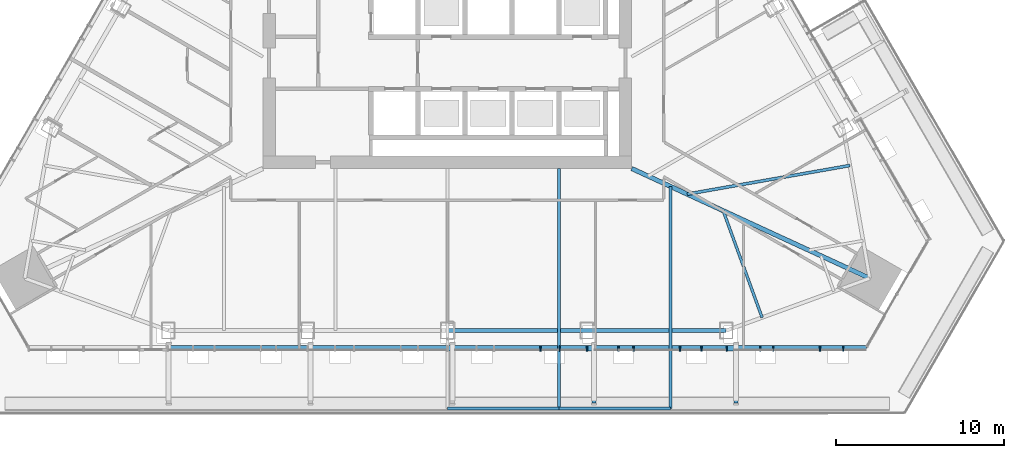
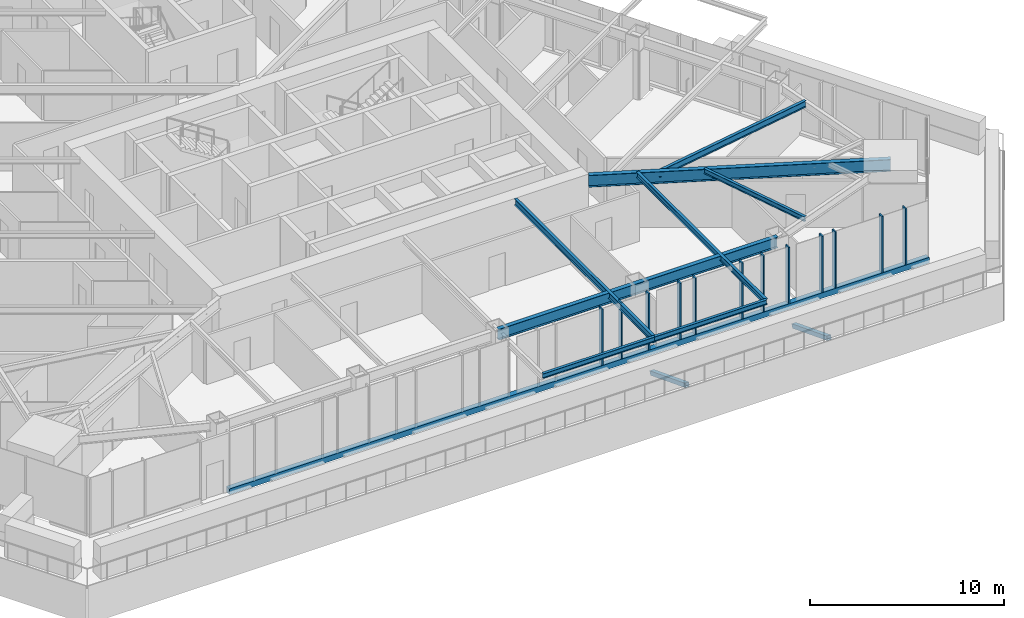
# One storey, part 4 of 21: 15 members, 8 beams, 1 element without a shape of its own.
"""IFC4 building model written with IfcOpenShell, lengths in metres."""

from ifc_helpers import new_model, si_unit, direction, frame, origin, origin_2d, place, context, subcontext, project, spatial, rectangle, hollow_rectangle, i_section, extrude, material, layer, layer_set, material_profile, profile_set, type_object, element, aggregate, save


model = new_model("IFC4")

# Units and contexts
model_context = context("Model", 3, precision=1e-05, world=origin(), true_north=direction((0.0, 1.0)))
body_context = subcontext(model_context, "Body", "Model", "MODEL_VIEW")
ifc_project = project(units=[si_unit("LENGTHUNIT", "METRE"), si_unit("AREAUNIT", "SQUARE_METRE"), si_unit("VOLUMEUNIT", "CUBIC_METRE"), si_unit("PLANEANGLEUNIT", "RADIAN"), si_unit("MASSUNIT", "GRAM", prefix="KILO")], contexts=[model_context])

# Site, building, storey
site_placement = place(None, origin())
site = spatial("IfcSite", under=ifc_project, at=site_placement, CompositionType="ELEMENT")
building_placement = place(site_placement, origin())
building = spatial("IfcBuilding", under=site, at=building_placement, Name="Firuza Gate Tower and Library", CompositionType="ELEMENT")
storey_placement = place(building_placement, frame((0.0, 0.0, 222.10009765625)))
storey = spatial("IfcBuildingStorey", under=building, at=storey_placement, Name="L52", CompositionType="ELEMENT", Elevation=222.10009765625)

# Curtain wall, members
ifc_material_1 = material(Name="Aluminium 6063-T6", Category="aluminium")
ifc_layer = layer(ifc_material_1, 0.14990234375)
ifc_layer_set = layer_set([ifc_layer], Name="Unitised curtain wall, hotel")
curtain_wall_type = type_object("IfcCurtainWallType", Name="Unitised curtain wall, hotel", PredefinedType="NOTDEFINED", material=ifc_layer_set)
curtain_wall_placement = place(storey_placement, origin())
curtain_wall = element("IfcCurtainWall", 1, at=curtain_wall_placement, inside=storey, type_object=curtain_wall_type, Name="CW2 L52 S face", PredefinedType="NOTDEFINED")
ifc_material_2 = material(Name="Aluminium 6063-T6", Category="aluminium")
ifc_material_profile_1 = material_profile(ifc_material_2, rectangle(XDim=0.320068359375, YDim=0.080078125, at=origin_2d()))
ifc_profile_set_1 = profile_set([ifc_material_profile_1], Name="Aluminium 6063-T6")
member_type_1 = type_object("IfcMemberType", Name="Curtain wall mullion 80x320", PredefinedType="MULLION", material=ifc_profile_set_1)
member_1_placement = place(storey_placement, frame((80.5546875, 56.276611328125, 0.14990234375), z_axis=(0.0, 0.0, 1.0), x_axis=(0.0, 1.0, 0.0)))
member_1 = element("IfcMember", 2, at=member_1_placement, type_object=member_type_1, Name="Mullion", PredefinedType="MULLION", context=body_context, shape_type="SweptSolid", body=[
    extrude(rectangle(XDim=0.320068359375, YDim=0.080078125, at=origin_2d()), origin(), (0.0, 0.0, 1.0), 3.550048828125),
])
member_2_placement = place(storey_placement, frame((83.33203125, 56.276611328125, 0.14990234375), z_axis=(0.0, 0.0, 1.0), x_axis=(0.0, 1.0, 0.0)))
member_2 = element("IfcMember", 3, at=member_2_placement, type_object=member_type_1, Name="Mullion", PredefinedType="MULLION", context=body_context, shape_type="SweptSolid", body=[
    extrude(rectangle(XDim=0.320068359375, YDim=0.080078125, at=origin_2d()), origin(), (0.0, 0.0, 1.0), 3.550048828125),
])
member_3_placement = place(storey_placement, frame((86.109375, 56.276611328125, 0.14990234375), z_axis=(0.0, 0.0, 1.0), x_axis=(0.0, 1.0, 0.0)))
member_3 = element("IfcMember", 4, at=member_3_placement, type_object=member_type_1, Name="Mullion", PredefinedType="MULLION", context=body_context, shape_type="SweptSolid", body=[
    extrude(rectangle(XDim=0.320068359375, YDim=0.080078125, at=origin_2d()), origin(), (0.0, 0.0, 1.0), 3.550048828125),
])
member_4_placement = place(storey_placement, frame((88.88671875, 56.276611328125, 0.14990234375), z_axis=(0.0, 0.0, 1.0), x_axis=(0.0, 1.0, 0.0)))
member_4 = element("IfcMember", 5, at=member_4_placement, type_object=member_type_1, Name="Mullion", PredefinedType="MULLION", context=body_context, shape_type="SweptSolid", body=[
    extrude(rectangle(XDim=0.320068359375, YDim=0.080078125, at=origin_2d()), origin(), (0.0, 0.0, 1.0), 3.550048828125),
])
member_5_placement = place(storey_placement, frame((91.6640625, 56.276611328125, 0.14990234375), z_axis=(0.0, 0.0, 1.0), x_axis=(0.0, 1.0, 0.0)))
member_5 = element("IfcMember", 6, at=member_5_placement, type_object=member_type_1, Name="Mullion", PredefinedType="MULLION", context=body_context, shape_type="SweptSolid", body=[
    extrude(rectangle(XDim=0.320068359375, YDim=0.080078125, at=origin_2d()), origin(), (0.0, 0.0, 1.0), 3.550048828125),
])
member_6_placement = place(storey_placement, frame((94.44140625, 56.276611328125, 0.14990234375), z_axis=(0.0, 0.0, 1.0), x_axis=(0.0, 1.0, 0.0)))
member_6 = element("IfcMember", 7, at=member_6_placement, type_object=member_type_1, Name="Mullion", PredefinedType="MULLION", context=body_context, shape_type="SweptSolid", body=[
    extrude(rectangle(XDim=0.320068359375, YDim=0.080078125, at=origin_2d()), origin(), (0.0, 0.0, 1.0), 3.550048828125),
])
member_7_placement = place(storey_placement, frame((97.21875, 56.276611328125, 0.14990234375), z_axis=(0.0, 0.0, 1.0), x_axis=(0.0, 1.0, 0.0)))
member_7 = element("IfcMember", 8, at=member_7_placement, type_object=member_type_1, Name="Mullion", PredefinedType="MULLION", context=body_context, shape_type="SweptSolid", body=[
    extrude(rectangle(XDim=0.320068359375, YDim=0.080078125, at=origin_2d()), origin(), (0.0, 0.0, 1.0), 3.550048828125),
])
member_8_placement = place(storey_placement, frame((81.70361328125, 56.276611328125, 0.14990234375), z_axis=(0.0, 0.0, 1.0), x_axis=(0.0, 1.0, 0.0)))
member_8 = element("IfcMember", 9, at=member_8_placement, type_object=member_type_1, Name="Mullion", PredefinedType="MULLION", context=body_context, shape_type="SweptSolid", body=[
    extrude(rectangle(XDim=0.320068359375, YDim=0.080078125, at=origin_2d()), origin(), (0.0, 0.0, 1.0), 3.550048828125),
])
member_9_placement = place(storey_placement, frame((85.207763671875, 56.276611328125, 0.14990234375), z_axis=(0.0, 0.0, 1.0), x_axis=(0.0, 1.0, 0.0)))
member_9 = element("IfcMember", 10, at=member_9_placement, type_object=member_type_1, Name="Mullion", PredefinedType="MULLION", context=body_context, shape_type="SweptSolid", body=[
    extrude(rectangle(XDim=0.320068359375, YDim=0.080078125, at=origin_2d()), origin(), (0.0, 0.0, 1.0), 3.550048828125),
])
member_10_placement = place(storey_placement, frame((90.1591796875, 56.276611328125, 0.14990234375), z_axis=(0.0, 0.0, 1.0), x_axis=(0.0, 1.0, 0.0)))
member_10 = element("IfcMember", 11, at=member_10_placement, type_object=member_type_1, Name="Mullion", PredefinedType="MULLION", context=body_context, shape_type="SweptSolid", body=[
    extrude(rectangle(XDim=0.320068359375, YDim=0.080078125, at=origin_2d()), origin(), (0.0, 0.0, 1.0), 3.550048828125),
])
member_11_placement = place(storey_placement, frame((93.663330078125, 56.276611328125, 0.14990234375), z_axis=(0.0, 0.0, 1.0), x_axis=(0.0, 1.0, 0.0)))
member_11 = element("IfcMember", 12, at=member_11_placement, type_object=member_type_1, Name="Mullion", PredefinedType="MULLION", context=body_context, shape_type="SweptSolid", body=[
    extrude(rectangle(XDim=0.320068359375, YDim=0.080078125, at=origin_2d()), origin(), (0.0, 0.0, 1.0), 3.550048828125),
])
member_12_placement = place(storey_placement, frame((98.614990234375, 56.276611328125, 0.14990234375), z_axis=(0.0, 0.0, 1.0), x_axis=(0.0, 1.0, 0.0)))
member_12 = element("IfcMember", 13, at=member_12_placement, type_object=member_type_1, Name="Mullion", PredefinedType="MULLION", context=body_context, shape_type="SweptSolid", body=[
    extrude(rectangle(XDim=0.320068359375, YDim=0.080078125, at=origin_2d()), origin(), (0.0, 0.0, 1.0), 3.550048828125),
])
ifc_material_3 = material(Name="Aluminium 6063-T6", Category="aluminium")
ifc_material_profile_2 = material_profile(ifc_material_3, rectangle(XDim=0.320068359375, YDim=0.35009765625, at=origin_2d()))
ifc_profile_set_2 = profile_set([ifc_material_profile_2], Name="Aluminium 6063-T6")
member_type_2 = type_object("IfcMemberType", Name="Curtain wall transom 350x320", PredefinedType="USERDEFINED", material=ifc_profile_set_2)
member_13_placement = place(storey_placement, frame((58.3359375, 56.276611328125, -0.025146484375), z_axis=(1.0, 0.0, 0.0), x_axis=(0.0, 1.0, 0.0)))
member_13 = element("IfcMember", 14, at=member_13_placement, type_object=member_type_2, Name="Transom", ObjectType="TRANSOM", PredefinedType="USERDEFINED", context=body_context, shape_type="SweptSolid", body=[
    extrude(rectangle(XDim=0.320068359375, YDim=0.35009765625, at=origin_2d()), origin(), (0.0, 0.0, 1.0), 41.66015625),
])
aggregate(curtain_wall, [member_1, member_2, member_3, member_4, member_5, member_6, member_7, member_13, member_8, member_9, member_10, member_11, member_12])

# Members
ifc_material_4 = material(Name="Steel S355", Category="steel")
ifc_material_profile_3 = material_profile(ifc_material_4, hollow_rectangle(XDim=0.25390625, YDim=0.25390625, WallThickness=0.01171875, at=origin_2d()))
ifc_profile_set_3 = profile_set([ifc_material_profile_3], Name="Steel S355")
member_type_3 = type_object("IfcMemberType", Name="HSS254x254x13 Tray strut", PredefinedType="BRACE", material=ifc_profile_set_3)
for number, where, z_axis, x_axis, name in (
    (15, (83.755615234375, 56.5625, -1.670166015625), (0.0, -0.931995182262, 0.362470661215), (1.0, 0.0, 0.0), "Tray strut L52 col:L51:S4"),
    (16, (92.21142578125, 56.5625, -1.670166015625), (0.0, -0.931995182262, 0.362470661215), (1.0, 0.0, 0.0), "Tray strut L52 col:L51:S5"),
):
    element("IfcMember", number, at=place(storey_placement, frame(where, z_axis=z_axis, x_axis=x_axis)), inside=storey, type_object=member_type_3, Name=name, PredefinedType="BRACE", context=body_context, shape_type="SweptSolid", body=[
        extrude(hollow_rectangle(XDim=0.25390625, YDim=0.25390625, WallThickness=0.01171875, at=origin_2d()), origin(), (0.0, 0.0, 1.0), 3.86279296875),
    ])

# Beams
ifc_material_5 = material(Name="Steel S355", Category="steel")
ifc_material_profile_4 = material_profile(ifc_material_5, i_section(OverallWidth=0.1650390625, OverallDepth=0.31005859375, WebThickness=0.005859375, FlangeThickness=0.009765625, at=origin_2d()))
ifc_profile_set_4 = profile_set([ifc_material_profile_4], Name="Steel S355")
beam_type_1 = type_object("IfcBeamType", Name="W310x39 Floor beam", PredefinedType="JOIST", material=ifc_profile_set_4)
beam_1_placement = place(storey_placement, frame((93.77490234375, 58.115966796875, 3.544921875), z_axis=(-0.342269386036, 0.939601866422, 0.0), x_axis=(-0.939601866422, -0.342269386036, 0.0)))
element("IfcBeam", 17, at=beam_1_placement, inside=storey, type_object=beam_type_1, Name="Floor beam L52 s30", PredefinedType="JOIST", context=body_context, shape_type="SweptSolid", body=[
    extrude(i_section(OverallWidth=0.1650390625, OverallDepth=0.31005859375, WebThickness=0.005859375, FlangeThickness=0.009765625, at=origin_2d()), origin(), (0.0, 0.0, 1.0), 6.77783203125),
])
for number, where, z_axis, x_axis, name in (
    (18, (75.0, 52.6865234375, 3.544921875), (1.0, 0.0, 0.0), (0.0, 1.0, 0.0), "Tray edge beam L52 s22-s23"),
    (19, (81.654052734375, 52.6865234375, 3.544921875), (1.0, 0.0, 0.0), (0.0, 1.0, 0.0), "Tray edge beam L52 s23-s24"),
):
    element("IfcBeam", number, at=place(storey_placement, frame(where, z_axis=z_axis, x_axis=x_axis)), inside=storey, type_object=beam_type_1, Name=name, PredefinedType="JOIST", context=body_context, shape_type="SweptSolid", body=[
        extrude(i_section(OverallWidth=0.1650390625, OverallDepth=0.31005859375, WebThickness=0.005859375, FlangeThickness=0.009765625, at=origin_2d()), origin(), (0.0, 0.0, 1.0), 6.654052734375),
    ])
ifc_material_6 = material(Name="Steel S355", Category="steel")
ifc_material_profile_5 = material_profile(ifc_material_6, i_section(OverallWidth=0.1708984375, OverallDepth=0.35498046875, WebThickness=0.007080078125, FlangeThickness=0.01171875, at=origin_2d()))
ifc_profile_set_5 = profile_set([ifc_material_profile_5], Name="Steel S355")
beam_type_2 = type_object("IfcBeamType", Name="W360x51 Floor beam", PredefinedType="JOIST", material=ifc_profile_set_5)
beam_2_placement = place(storey_placement, frame((88.30810546875, 52.6865234375, 3.5224609375), z_axis=(0.0, 1.0, 0.0), x_axis=(-1.0, 0.0, 0.0)))
element("IfcBeam", 20, at=beam_2_placement, inside=storey, type_object=beam_type_2, Name="Floor beam L52 s24", PredefinedType="JOIST", context=body_context, shape_type="SweptSolid", body=[
    extrude(i_section(OverallWidth=0.1708984375, OverallDepth=0.35498046875, WebThickness=0.007080078125, FlangeThickness=0.01171875, at=origin_2d()), origin(), (0.0, 0.0, 1.0), 13.2490234375),
])
ifc_material_7 = material(Name="Steel S355", Category="steel")
ifc_material_profile_6 = material_profile(ifc_material_7, i_section(OverallWidth=0.177978515625, OverallDepth=0.406982421875, WebThickness=0.0078125, FlangeThickness=0.0126953125, at=origin_2d()))
ifc_profile_set_6 = profile_set([ifc_material_profile_6], Name="Steel S355")
beam_type_3 = type_object("IfcBeamType", Name="W410x60 Floor beam", PredefinedType="JOIST", material=ifc_profile_set_6)
beam_3_placement = place(storey_placement, frame((81.654052734375, 52.6865234375, 3.496337890625), z_axis=(0.0, 1.0, 0.0), x_axis=(-1.0, 0.0, 0.0)))
element("IfcBeam", 21, at=beam_3_placement, inside=storey, type_object=beam_type_3, Name="Floor beam L52 s23", PredefinedType="JOIST", context=body_context, shape_type="SweptSolid", body=[
    extrude(i_section(OverallWidth=0.177978515625, OverallDepth=0.406982421875, WebThickness=0.0078125, FlangeThickness=0.0126953125, at=origin_2d()), origin(), (0.0, 0.0, 1.0), 14.3134765625),
])
beam_4_placement = place(storey_placement, frame((99.009521484375, 67.182373046875, 3.496337890625), z_axis=(-0.984858068941, -0.173362579703, 0.0), x_axis=(0.173362579703, -0.984858068941, 0.0)))
element("IfcBeam", 22, at=beam_4_placement, inside=storey, type_object=beam_type_3, Name="Floor beam L52 s41", PredefinedType="JOIST", context=body_context, shape_type="SweptSolid", body=[
    extrude(i_section(OverallWidth=0.177978515625, OverallDepth=0.406982421875, WebThickness=0.0078125, FlangeThickness=0.0126953125, at=origin_2d()), origin(), (0.0, 0.0, 1.0), 9.850830078125),
])
ifc_material_8 = material(Name="Steel S355", Category="steel")
ifc_material_profile_7 = material_profile(ifc_material_8, i_section(OverallWidth=0.2529296875, OverallDepth=0.677978515625, WebThickness=0.01171875, FlangeThickness=0.016357421875, at=origin_2d()))
ifc_profile_set_7 = profile_set([ifc_material_profile_7], Name="Steel S355")
beam_type_4 = type_object("IfcBeamType", Name="W690x125 Edge beam", PredefinedType="SPANDREL", material=ifc_profile_set_7)
beam_5_placement = place(storey_placement, frame((75.0, 57.336669921875, 3.36083984375), z_axis=(1.0, 0.0, 0.0), x_axis=(0.0, 1.0, 0.0)))
element("IfcBeam", 23, at=beam_5_placement, inside=storey, type_object=beam_type_4, Name="Edge beam L52 e22", PredefinedType="SPANDREL", context=body_context, shape_type="SweptSolid", body=[
    extrude(i_section(OverallWidth=0.2529296875, OverallDepth=0.677978515625, WebThickness=0.01171875, FlangeThickness=0.016357421875, at=origin_2d()), origin(), (0.0, 0.0, 1.0), 16.63525390625),
])
ifc_material_9 = material(Name="Steel S355", Category="steel")
ifc_material_profile_8 = material_profile(ifc_material_9, i_section(OverallWidth=0.264892578125, OverallDepth=0.7529296875, WebThickness=0.01318359375, FlangeThickness=0.01708984375, at=origin_2d()))
ifc_profile_set_8 = profile_set([ifc_material_profile_8], Name="Steel S355")
beam_type_5 = type_object("IfcBeamType", Name="W760x147 Girder", PredefinedType="BEAM", material=ifc_profile_set_8)
beam_6_placement = place(storey_placement, frame((100.19384765625, 60.454345703125, 3.323486328125), z_axis=(-0.908089630554, 0.418775862341, 0.0), x_axis=(-0.418775862341, -0.908089630554, 0.0)))
element("IfcBeam", 24, at=beam_6_placement, inside=storey, type_object=beam_type_5, Name="Girder L52 gSE", PredefinedType="BEAM", context=body_context, shape_type="SweptSolid", body=[
    extrude(i_section(OverallWidth=0.264892578125, OverallDepth=0.7529296875, WebThickness=0.01318359375, FlangeThickness=0.01708984375, at=origin_2d()), origin(), (0.0, 0.0, 1.0), 15.63037109375),
])

save(model, "model.ifc")
